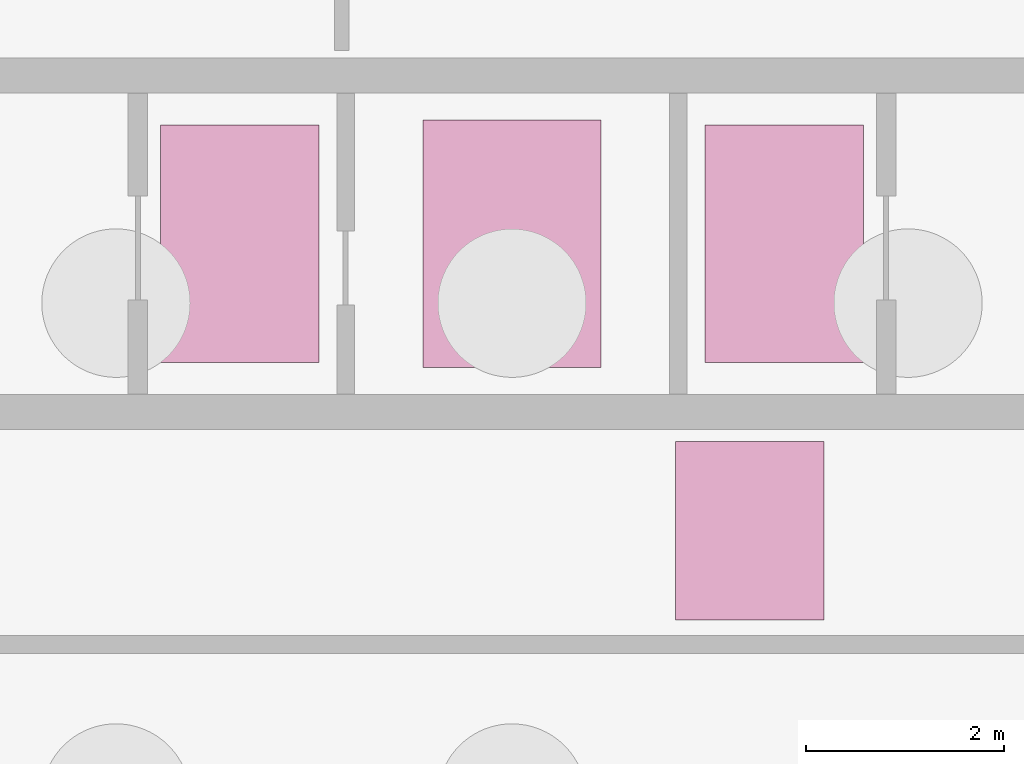
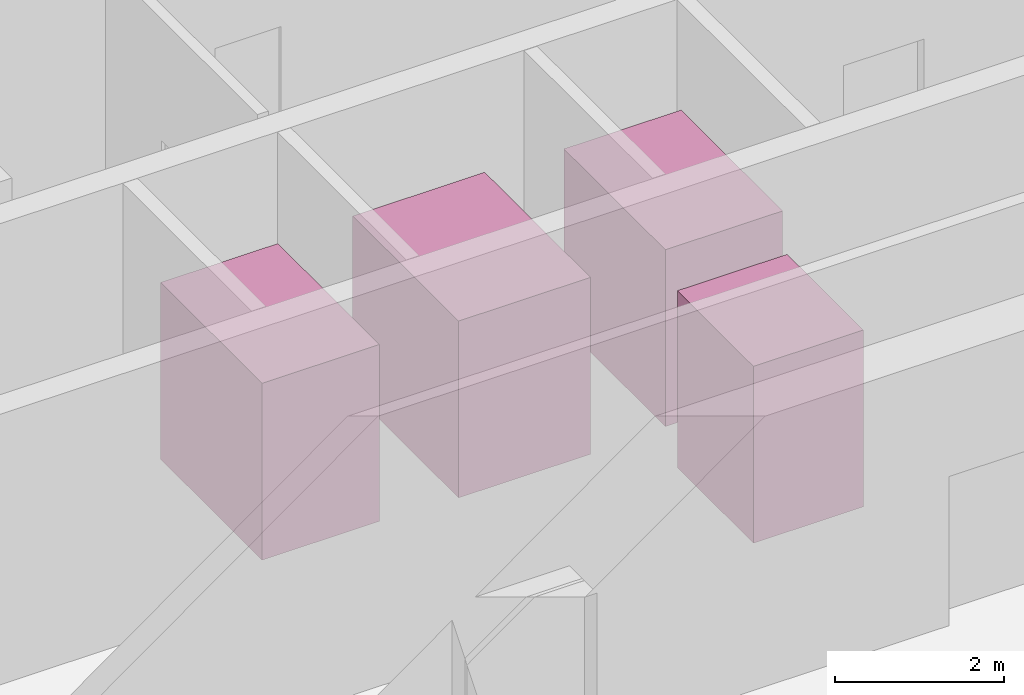
# One storey, part 7 of 7: 4 transport elements.
"""IFC4 building model written with IfcOpenShell, lengths in metres."""

from ifc_helpers import new_model, si_unit, direction, frame, origin, origin_2d, place, context, subcontext, project, spatial, rectangle, extrude, material, type_object, element, save


model = new_model("IFC4")

# Units and contexts
model_context = context("Model", 3, precision=1e-05, world=origin(), true_north=direction((0.0, 1.0)))
body_context = subcontext(model_context, "Body", "Model", "MODEL_VIEW")
ifc_project = project(units=[si_unit("LENGTHUNIT", "METRE"), si_unit("AREAUNIT", "SQUARE_METRE"), si_unit("VOLUMEUNIT", "CUBIC_METRE"), si_unit("PLANEANGLEUNIT", "RADIAN"), si_unit("MASSUNIT", "GRAM", prefix="KILO")], contexts=[model_context])

# Site, building, storey
site_placement = place(None, origin())
site = spatial("IfcSite", under=ifc_project, at=site_placement, CompositionType="ELEMENT")
building_placement = place(site_placement, origin())
building = spatial("IfcBuilding", under=site, at=building_placement, Name="Caelvoria Tower", CompositionType="ELEMENT")
storey_placement = place(building_placement, frame((0.0, 0.0, -8.39990234375)))
storey = spatial("IfcBuildingStorey", under=building, at=storey_placement, Name="B2", CompositionType="ELEMENT", Elevation=-8.39990234375)

# Transport elements
ifc_material = material(Name="Stainless Steel and Bronze Elevator Cab", Category="steel")
transport_element_type_1 = type_object("IfcTransportElementType", Name="Firefighting and Stretcher Lift 1600kg", PredefinedType="ELEVATOR", material=ifc_material)
for number, where, z_axis, x_axis, name in (
    (1, (43.25, 30.10009765625, 0.0), (0.0, 0.0, 1.0), (1.0, 0.0, 0.0), "Elevator LF-01"),
    (2, (48.75, 30.10009765625, 0.0), (0.0, 0.0, 1.0), (1.0, 0.0, 0.0), "Elevator LF-02"),
):
    element("IfcTransportElement", number, at=place(storey_placement, frame(where, z_axis=z_axis, x_axis=x_axis)), inside=storey, type_object=transport_element_type_1, Name=name, PredefinedType="ELEVATOR", context=body_context, shape_type="SweptSolid", body=[
        extrude(rectangle(XDim=1.60009765625, YDim=2.39990234375, at=origin_2d()), origin(), (0.0, 0.0, 1.0), 2.550048828125),
    ])
transport_element_type_2 = type_object("IfcTransportElementType", Name="Goods and Service Lift 2500kg", PredefinedType="ELEVATOR", material=ifc_material)
transport_element_1_placement = place(storey_placement, frame((46.0, 30.10009765625, 0.0), z_axis=(0.0, 0.0, 1.0), x_axis=(1.0, 0.0, 0.0)))
element("IfcTransportElement", 3, at=transport_element_1_placement, inside=storey, type_object=transport_element_type_2, Name="Elevator SV-01", PredefinedType="ELEVATOR", context=body_context, shape_type="SweptSolid", body=[
    extrude(rectangle(XDim=1.800048828125, YDim=2.5, at=origin_2d()), origin(), (0.0, 0.0, 1.0), 2.550048828125),
])
transport_element_type_3 = type_object("IfcTransportElementType", Name="Passenger Zone Gearless Lift 1350kg", PredefinedType="ELEVATOR", material=ifc_material)
transport_element_2_placement = place(storey_placement, frame((48.39990234375, 27.199951171875, 0.0), z_axis=(0.0, 0.0, 1.0), x_axis=(1.0, 0.0, 0.0)))
element("IfcTransportElement", 4, at=transport_element_2_placement, inside=storey, type_object=transport_element_type_3, Name="Elevator PP-01", PredefinedType="ELEVATOR", context=body_context, shape_type="SweptSolid", body=[
    extrude(rectangle(XDim=1.5, YDim=1.800048828125, at=origin_2d()), origin(), (0.0, 0.0, 1.0), 2.550048828125),
])

save(model, "model.ifc")
